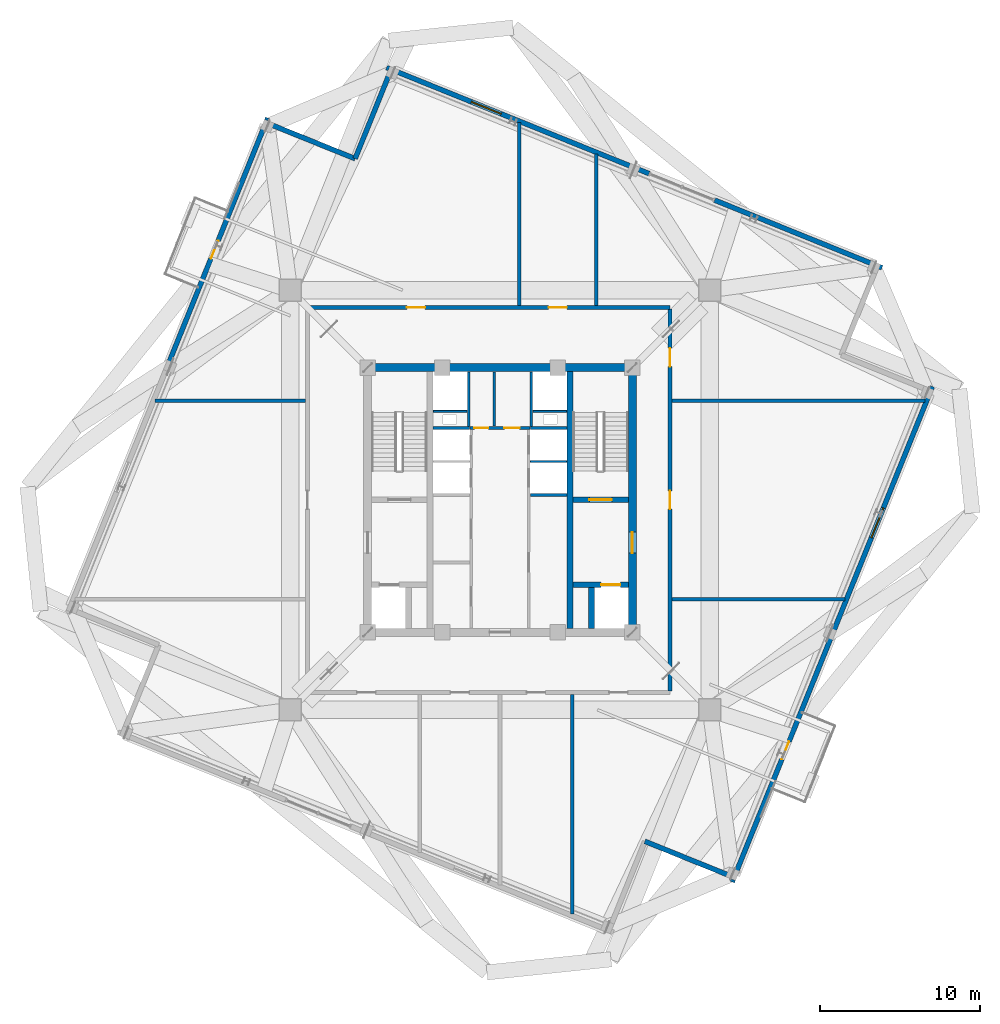
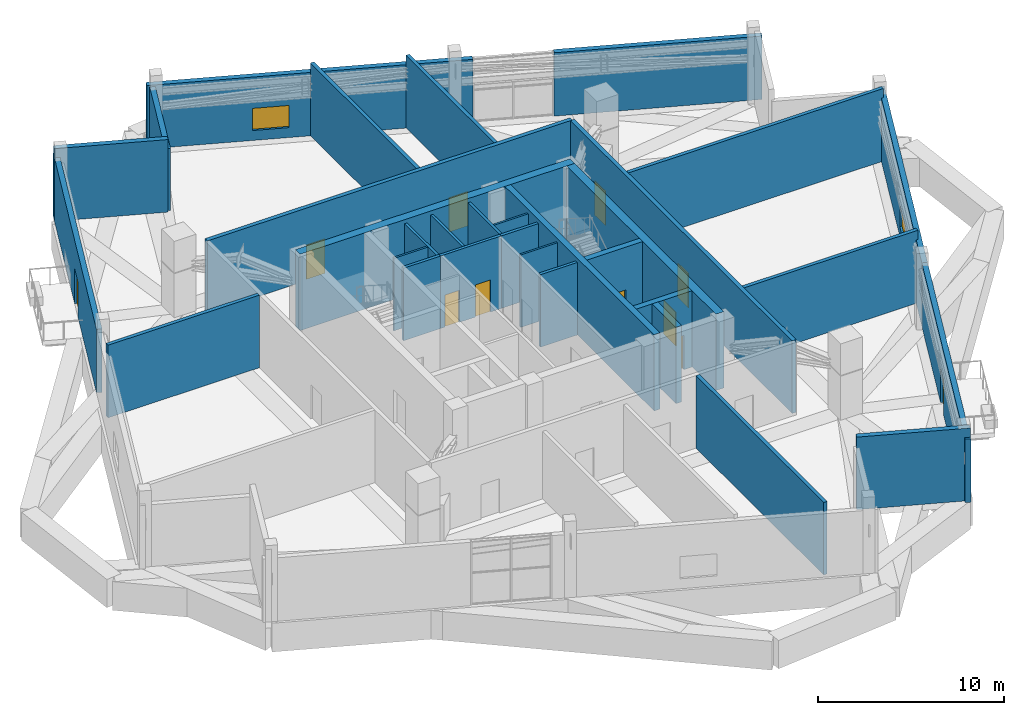
# One storey, part 16 of 20: 32 walls, 11 doors, 2 windows, 13 openings.
"""IFC4 building model written with IfcOpenShell, lengths in metres."""

from ifc_helpers import new_model, si_unit, direction, frame, frame_2d, origin, place, context, subcontext, project, spatial, rectangle, extrude, source, transform, mapped, material, layer, layer_set, type_object, element, fill, save


model = new_model("IFC4")

# Units and contexts
model_context = context("Model", 3, precision=1e-05, world=origin(), true_north=direction((0.0, 1.0)))
body_context = subcontext(model_context, "Body", "Model", "MODEL_VIEW")
ifc_project = project(units=[si_unit("LENGTHUNIT", "METRE"), si_unit("AREAUNIT", "SQUARE_METRE"), si_unit("VOLUMEUNIT", "CUBIC_METRE"), si_unit("PLANEANGLEUNIT", "RADIAN"), si_unit("MASSUNIT", "GRAM", prefix="KILO"), si_unit("THERMODYNAMICTEMPERATUREUNIT", "KELVIN")], contexts=[model_context])

# Site, building, storey
site_placement = place(None, origin())
site = spatial("IfcSite", under=ifc_project, at=site_placement, CompositionType="ELEMENT")
building_placement = place(site_placement, origin())
building = spatial("IfcBuilding", under=site, at=building_placement, Name="Kosmvard Interchange Tower", CompositionType="ELEMENT")
storey_placement = place(building_placement, frame((0.0, 0.0, 260.199951171875)))
storey = spatial("IfcBuildingStorey", under=building, at=storey_placement, Name="L63", CompositionType="ELEMENT", Elevation=260.199951171875)

# Walls
ifc_material_1 = material(Name="Fire-rated gypsum partition system")
ifc_layer_1 = layer(ifc_material_1, 0.159912109375, Name="Fire-rated gypsum partition system")
ifc_layer_set_1 = layer_set([ifc_layer_1], Name="Fire-rated gypsum partition system")
wall_type_1 = type_object("IfcWallType", Name="Core Compartment & Shuttle Lobby Partition 160", PredefinedType="PARTITIONING", material=ifc_layer_set_1)
for number, where, z_axis, x_axis, name in (
    (1, (-1.9599609375, 4.580078125, 0.0), (0.0, 0.0, 1.0), (0.0, 1.0, 0.0), "L63 North Core West Wall"),
    (2, (1.9599609375, 4.580078125, 0.0), (0.0, 0.0, 1.0), (0.0, 1.0, 0.0), "L63 North Core East Wall"),
):
    element("IfcWall", number, at=place(storey_placement, frame(where, z_axis=z_axis, x_axis=x_axis)), inside=storey, type_object=wall_type_1, Name=name, PredefinedType="PARTITIONING", context=body_context, shape_type="SweptSolid", body=[
        extrude(rectangle(XDim=3.39990234375, YDim=0.159912109375, at=frame_2d((1.699951171875, 0.0))), origin(), (0.0, 0.0, 1.0), 4.75),
    ])
ifc_material_2 = material(Name="Concrete blockwork masonry", Category="masonry")
ifc_layer_2 = layer(ifc_material_2, 0.159912109375, Name="Concrete blockwork masonry")
ifc_layer_set_2 = layer_set([ifc_layer_2], Name="Concrete blockwork masonry")
wall_type_2 = type_object("IfcWallType", Name="Core Enclosure Split Wall 160", PredefinedType="PARTITIONING", material=ifc_layer_set_2)
wall_1_placement = place(storey_placement, frame((-0.35009765625, 4.60009765625, 0.0), z_axis=(0.0, 0.0, 1.0), x_axis=(0.0, 1.0, 0.0)))
element("IfcWall", 3, at=wall_1_placement, inside=storey, type_object=wall_type_2, Name="L63 Core K2 Split Wall", PredefinedType="PARTITIONING", context=body_context, shape_type="SweptSolid", body=[
    extrude(rectangle(XDim=3.3798828125, YDim=0.159912109375, at=frame_2d((1.68994140625, 0.0))), origin(), (0.0, 0.0, 1.0), 4.75),
])

# Wall, openings, doors
ifc_layer_3 = layer(ifc_material_1, 0.179931640625, Name="Fire-rated gypsum partition system")
ifc_layer_set_3 = layer_set([ifc_layer_3], Name="Fire-rated gypsum partition system")
wall_type_3 = type_object("IfcWallType", Name="Corridor & Hotel Compartment Partition 180", PredefinedType="PARTITIONING", material=ifc_layer_set_3)
wall_2_placement = place(storey_placement, frame((-1.8798828125, 4.489990234375, 0.0), z_axis=(0.0, 0.0, 1.0), x_axis=(1.0, 0.0, 0.0)))
wall_2 = element("IfcWall", 4, at=wall_2_placement, inside=storey, type_object=wall_type_3, Name="L63 Lift Lobby North Partition", PredefinedType="PARTITIONING", context=body_context, shape_type="SweptSolid", body=[
    extrude(rectangle(XDim=3.759765625, YDim=0.179931640625, at=frame_2d((1.8798828125, 0.0))), origin(), (0.0, 0.0, 1.0), 4.75),
])
opening_1_placement = place(wall_2_placement, frame((0.280029296875, 0.0, 0.0)))
opening_1 = element("IfcOpeningElement", 5, at=opening_1_placement, cuts=wall_2, Name="Opening L63-KD1", PredefinedType="OPENING", context=body_context, shape_type="SweptSolid", body=[
    extrude(rectangle(XDim=0.8798828125, YDim=2.10009765625, at=frame_2d((0.43994140625, 1.050048828125))), frame((0.0, 0.10009765625, 0.0), z_axis=(0.0, -1.0, 0.0), x_axis=(1.0, 0.0, 0.0)), (0.0, 0.0, 1.0), 0.199951171875),
])
opening_2_placement = place(wall_2_placement, frame((2.14990234375, 0.0, 0.0)))
opening_2 = element("IfcOpeningElement", 6, at=opening_2_placement, cuts=wall_2, Name="Opening L63-KD2", PredefinedType="OPENING", context=body_context, shape_type="SweptSolid", body=[
    extrude(rectangle(XDim=0.949951171875, YDim=2.10009765625, at=frame_2d((0.47509765625, 1.050048828125))), frame((0.0, 0.10009765625, 0.0), z_axis=(0.0, -1.0, 0.0), x_axis=(1.0, 0.0, 0.0)), (0.0, 0.0, 1.0), 0.199951171875),
])
ifc_material_3 = material(Name="Painted fire-rated timber leaf", Category="wood")
door_type_1 = type_object("IfcDoorType", Name="Core Service Fire Door 950x2100 EI30", OperationType="NOTDEFINED", PredefinedType="DOOR", material=ifc_material_3)
shared_shape_1 = source(origin(), body_context, "Body", "SweptSolid", [
    extrude(rectangle(XDim=0.949951171875, YDim=2.10009765625, at=frame_2d((0.47509765625, 1.050048828125))), frame((0.0, 0.02490234375, 0.0), z_axis=(0.0, -1.0, 0.0), x_axis=(1.0, 0.0, 0.0)), (0.0, 0.0, 1.0), 0.050048828125),
])
door_1_placement = place(opening_2_placement, origin())
door_1 = element("IfcDoor", 7, at=door_1_placement, inside=storey, type_object=door_type_1, Name="L63 Core Tea Pantry Door", OperationType="SINGLE_SWING_RIGHT", OverallHeight=2.10009765625, OverallWidth=0.949951171875, PredefinedType="DOOR", context=body_context, shape_type="MappedRepresentation", body=[
    mapped(shared_shape_1, transform((0.0, 0.0, 0.0), scale=1.0)),
])
fill(opening_2, door_1)
door_type_2 = type_object("IfcDoorType", Name="Core Cupboard Fire Door 880x2100 EI30", OperationType="NOTDEFINED", PredefinedType="DOOR", material=ifc_material_3)
shared_shape_2 = source(origin(), body_context, "Body", "SweptSolid", [
    extrude(rectangle(XDim=0.8798828125, YDim=2.10009765625, at=frame_2d((0.43994140625, 1.050048828125))), frame((0.0, 0.02490234375, 0.0), z_axis=(0.0, -1.0, 0.0), x_axis=(1.0, 0.0, 0.0)), (0.0, 0.0, 1.0), 0.050048828125),
])
door_2_placement = place(opening_1_placement, origin())
door_2 = element("IfcDoor", 8, at=door_2_placement, inside=storey, type_object=door_type_2, Name="L63 Core Cleaner Cupboard Door", OperationType="SINGLE_SWING_LEFT", OverallHeight=2.10009765625, OverallWidth=0.8798828125, PredefinedType="DOOR", context=body_context, shape_type="MappedRepresentation", body=[
    mapped(shared_shape_2, transform((0.0, 0.0, 0.0), scale=1.0)),
])
fill(opening_1, door_2)

ifc_layer_4 = layer(ifc_material_2, 0.25, Name="Concrete blockwork masonry")
ifc_layer_set_4 = layer_set([ifc_layer_4], Name="Concrete blockwork masonry")
wall_type_4 = type_object("IfcWallType", Name="Exit Passage & Firefighting Lobby Wall 250", PredefinedType="PARTITIONING", material=ifc_layer_set_4)
wall_3_placement = place(storey_placement, frame((-12.0, 12.0, 0.0), z_axis=(0.0, 0.0, 1.0), x_axis=(1.0, 0.0, 0.0)))
wall_3 = element("IfcWall", 9, at=wall_3_placement, inside=storey, type_object=wall_type_4, Name="L63 Corridor Wall CN", PredefinedType="PARTITIONING", context=body_context, shape_type="SweptSolid", body=[
    extrude(rectangle(XDim=22.60009765625, YDim=0.25, at=frame_2d((11.300048828125, 0.0))), origin(), (0.0, 0.0, 1.0), 4.75),
])
opening_3_placement = place(wall_3_placement, frame((6.189453125, 0.0, 0.0)))
opening_3 = element("IfcOpeningElement", 10, at=opening_3_placement, cuts=wall_3, Name="Opening L63-D01", PredefinedType="OPENING", context=body_context, shape_type="SweptSolid", body=[
    extrude(rectangle(XDim=1.14990234375, YDim=2.25, at=frame_2d((0.574951171875, 1.125))), frame((0.0, 0.135009765625, 0.0), z_axis=(0.0, -1.0, 0.0), x_axis=(1.0, 0.0, 0.0)), (0.0, 0.0, 1.0), 0.27001953125),
])
opening_4_placement = place(wall_3_placement, frame((15.02490234375, 0.0, 0.0)))
opening_4 = element("IfcOpeningElement", 11, at=opening_4_placement, cuts=wall_3, Name="Opening L63-D02", PredefinedType="OPENING", context=body_context, shape_type="SweptSolid", body=[
    extrude(rectangle(XDim=1.14990234375, YDim=2.25, at=frame_2d((0.574951171875, 1.125))), frame((0.0, 0.135009765625, 0.0), z_axis=(0.0, -1.0, 0.0), x_axis=(1.0, 0.0, 0.0)), (0.0, 0.0, 1.0), 0.27001953125),
])
ifc_material_4 = material(Name="Painted fire-rated steel leaf", Category="steel")
door_type_3 = type_object("IfcDoorType", Name="Plant & Riser Fire Door 1150x2250 EI60", OperationType="NOTDEFINED", PredefinedType="DOOR", material=ifc_material_4)
shared_shape_3 = source(origin(), body_context, "Body", "SweptSolid", [
    extrude(rectangle(XDim=1.14990234375, YDim=2.25, at=frame_2d((0.574951171875, 1.125))), frame((0.0, 0.02490234375, 0.0), z_axis=(0.0, -1.0, 0.0), x_axis=(1.0, 0.0, 0.0)), (0.0, 0.0, 1.0), 0.050048828125),
])
door_3_placement = place(opening_3_placement, origin())
door_3 = element("IfcDoor", 12, at=door_3_placement, inside=storey, type_object=door_type_3, Name="L63 Hot Water Calorifier Plant Room Door", OperationType="SINGLE_SWING_LEFT", OverallHeight=2.25, OverallWidth=1.14990234375, PredefinedType="DOOR", context=body_context, shape_type="MappedRepresentation", body=[
    mapped(shared_shape_3, transform((0.0, 0.0, 0.0), scale=1.0)),
])
fill(opening_3, door_3)
door_4_placement = place(opening_4_placement, origin())
door_4 = element("IfcDoor", 13, at=door_4_placement, inside=storey, type_object=door_type_3, Name="L63 Hydronic Pressure-Break Plant Room Door", OperationType="SINGLE_SWING_RIGHT", OverallHeight=2.25, OverallWidth=1.14990234375, PredefinedType="DOOR", context=body_context, shape_type="MappedRepresentation", body=[
    mapped(shared_shape_3, transform((0.0, 0.0, 0.0), scale=1.0)),
])
fill(opening_4, door_4)

wall_4_placement = place(storey_placement, frame((10.60009765625, -11.89990234375, 0.0), z_axis=(0.0, 0.0, 1.0), x_axis=(0.0, 1.0, 0.0)))
wall_4 = element("IfcWall", 14, at=wall_4_placement, inside=storey, type_object=wall_type_4, Name="L63 Corridor Wall CE", PredefinedType="PARTITIONING", context=body_context, shape_type="SweptSolid", body=[
    extrude(rectangle(XDim=23.7998046875, YDim=0.25, at=frame_2d((11.89990234375, 0.0))), origin(), (0.0, 0.0, 1.0), 4.75),
])
opening_5_placement = place(wall_4_placement, frame((20.21044921875, 0.0, 0.0)))
opening_5 = element("IfcOpeningElement", 15, at=opening_5_placement, cuts=wall_4, Name="Opening L63-D03", PredefinedType="OPENING", context=body_context, shape_type="SweptSolid", body=[
    extrude(rectangle(XDim=1.14990234375, YDim=2.25, at=frame_2d((0.574951171875, 1.125))), frame((0.0, 0.135009765625, 0.0), z_axis=(0.0, -1.0, 0.0), x_axis=(1.0, 0.0, 0.0)), (0.0, 0.0, 1.0), 0.27001953125),
])
opening_6_placement = place(wall_4_placement, frame((11.324951171875, 0.0, 0.0)))
opening_6 = element("IfcOpeningElement", 16, at=opening_6_placement, cuts=wall_4, Name="Opening L63-D04", PredefinedType="OPENING", context=body_context, shape_type="SweptSolid", body=[
    extrude(rectangle(XDim=1.14990234375, YDim=2.25, at=frame_2d((0.574951171875, 1.125))), frame((0.0, 0.135009765625, 0.0), z_axis=(0.0, -1.0, 0.0), x_axis=(1.0, 0.0, 0.0)), (0.0, 0.0, 1.0), 0.27001953125),
])
door_5_placement = place(opening_5_placement, frame((1.14990234375, 0.0, 0.0), z_axis=(0.0, 0.0, 1.0), x_axis=(-1.0, 0.0, 0.0)))
door_5 = element("IfcDoor", 17, at=door_5_placement, inside=storey, type_object=door_type_3, Name="L63 High-Zone Chiller Exchange Plant Room Door", OperationType="SINGLE_SWING_LEFT", OverallHeight=2.25, OverallWidth=1.14990234375, PredefinedType="DOOR", context=body_context, shape_type="MappedRepresentation", body=[
    mapped(shared_shape_3, transform((0.0, 0.0, 0.0), scale=1.0)),
])
fill(opening_5, door_5)
door_6_placement = place(opening_6_placement, frame((1.14990234375, 0.0, 0.0), z_axis=(0.0, 0.0, 1.0), x_axis=(-1.0, 0.0, 0.0)))
door_6 = element("IfcDoor", 18, at=door_6_placement, inside=storey, type_object=door_type_3, Name="L63 Refuge Area East Door", OperationType="SINGLE_SWING_RIGHT", OverallHeight=2.25, OverallWidth=1.14990234375, PredefinedType="DOOR", context=body_context, shape_type="MappedRepresentation", body=[
    mapped(shared_shape_3, transform((0.0, 0.0, 0.0), scale=1.0)),
])
fill(opening_6, door_6)

# Walls
ifc_layer_5 = layer(ifc_material_2, 0.179931640625, Name="Concrete blockwork masonry")
ifc_layer_set_5 = layer_set([ifc_layer_5], Name="Concrete blockwork masonry")
wall_type_5 = type_object("IfcWallType", Name="Riser & Lift Bank Divider Wall 180", PredefinedType="PARTITIONING", material=ifc_layer_set_5)
for number, where, z_axis, x_axis, name in (
    (19, (1.889892578125, 0.300048828125, 0.0), (0.0, 0.0, 1.0), (1.0, 0.0, 0.0), "L63 East Bank Divider BD2"),
    (20, (-4.169921875, 4.489990234375, 0.0), (0.0, 0.0, 1.0), (1.0, 0.0, 0.0), "L63 West Bank Divider BD3"),
    (21, (1.889892578125, 4.489990234375, 0.0), (0.0, 0.0, 1.0), (1.0, 0.0, 0.0), "L63 East Bank Divider BD3"),
):
    element("IfcWall", number, at=place(storey_placement, frame(where, z_axis=z_axis, x_axis=x_axis)), inside=storey, type_object=wall_type_5, Name=name, PredefinedType="PARTITIONING", context=body_context, shape_type="SweptSolid", body=[
        extrude(rectangle(XDim=2.280029296875, YDim=0.179931640625, at=frame_2d((1.14013671875, 0.0))), origin(), (0.0, 0.0, 1.0), 4.75),
    ])
ifc_layer_6 = layer(ifc_material_2, 0.219970703125, Name="Concrete blockwork masonry")
ifc_layer_set_6 = layer_set([ifc_layer_6], Name="Concrete blockwork masonry")
wall_type_6 = type_object("IfcWallType", Name="Riser & Plant Enclosure Wall 220", PredefinedType="PARTITIONING", material=ifc_layer_set_6)
wall_5_placement = place(storey_placement, frame((1.199951171875, 12.1298828125, 0.0), z_axis=(0.0, 0.0, 1.0), x_axis=(0.0, 1.0, 0.0)))
element("IfcWall", 22, at=wall_5_placement, inside=storey, type_object=wall_type_6, Name="L63 Room Partition 01.1", PredefinedType="PARTITIONING", context=body_context, shape_type="SweptSolid", body=[
    extrude(rectangle(XDim=11.38818359375, YDim=0.219970703125, at=frame_2d((5.694091796875, 0.0))), origin(), (0.0, 0.0, 1.0), 4.75),
])
wall_6_placement = place(storey_placement, frame((6.0, 12.1298828125, 0.0), z_axis=(0.0, 0.0, 1.0), x_axis=(0.0, 1.0, 0.0)))
element("IfcWall", 23, at=wall_6_placement, inside=storey, type_object=wall_type_6, Name="L63 Room Partition 02.1", PredefinedType="PARTITIONING", context=body_context, shape_type="SweptSolid", body=[
    extrude(rectangle(XDim=9.44873046875, YDim=0.219970703125, at=frame_2d((4.724365234375, 0.0))), origin(), (0.0, 0.0, 1.0), 4.75),
])
wall_7_placement = place(storey_placement, frame((10.72998046875, 6.199951171875, 0.0), z_axis=(0.0, 0.0, 1.0), x_axis=(1.0, 0.0, 0.0)))
element("IfcWall", 24, at=wall_7_placement, inside=storey, type_object=wall_type_6, Name="L63 Room Partition 03.1", PredefinedType="PARTITIONING", context=body_context, shape_type="SweptSolid", body=[
    extrude(rectangle(XDim=15.77783203125, YDim=0.219970703125, at=frame_2d((7.888916015625, 0.0))), origin(), (0.0, 0.0, 1.0), 4.75),
])
wall_8_placement = place(storey_placement, frame((10.72998046875, -6.199951171875, 0.0), z_axis=(0.0, 0.0, 1.0), x_axis=(1.0, 0.0, 0.0)))
element("IfcWall", 25, at=wall_8_placement, inside=storey, type_object=wall_type_6, Name="L63 Room Partition 04.1", PredefinedType="PARTITIONING", context=body_context, shape_type="SweptSolid", body=[
    extrude(rectangle(XDim=10.767822265625, YDim=0.219970703125, at=frame_2d((5.3837890625, 0.0))), origin(), (0.0, 0.0, 1.0), 4.75),
])
wall_9_placement = place(storey_placement, frame((4.5, -12.1298828125, 0.0), z_axis=(0.0, 0.0, 1.0), x_axis=(0.0, -1.0, 0.0)))
element("IfcWall", 26, at=wall_9_placement, inside=storey, type_object=wall_type_6, Name="L63 Room Partition 05.1", PredefinedType="PARTITIONING", context=body_context, shape_type="SweptSolid", body=[
    extrude(rectangle(XDim=13.69091796875, YDim=0.219970703125, at=frame_2d((6.845458984375, 0.0))), origin(), (0.0, 0.0, 1.0), 4.75),
])
wall_10_placement = place(storey_placement, frame((-12.1298828125, 6.199951171875, 0.0), z_axis=(0.0, 0.0, 1.0), x_axis=(-1.0, 0.0, 0.0)))
element("IfcWall", 27, at=wall_10_placement, inside=storey, type_object=wall_type_6, Name="L63 Room Partition 09.1", PredefinedType="PARTITIONING", context=body_context, shape_type="SweptSolid", body=[
    extrude(rectangle(XDim=9.367919921875, YDim=0.219970703125, at=frame_2d((4.68408203125, 0.0))), origin(), (0.0, 0.0, 1.0), 4.75),
])
ifc_material_5 = material(Name="Fire-rated gypsum shaftwall system")
ifc_layer_7 = layer(ifc_material_5, 0.1201171875, Name="Fire-rated gypsum shaftwall system")
ifc_layer_set_7 = layer_set([ifc_layer_7], Name="Fire-rated gypsum shaftwall system")
wall_type_7 = type_object("IfcWallType", Name="Shaft & Riser Fire Partition 120 EI60", PredefinedType="PARTITIONING", material=ifc_layer_set_7)
wall_11_placement = place(storey_placement, frame((1.89990234375, 2.39990234375, 0.0), z_axis=(0.0, 0.0, 1.0), x_axis=(1.0, 0.0, 0.0)))
element("IfcWall", 28, at=wall_11_placement, inside=storey, type_object=wall_type_7, Name="L63 Shaft Divider PL-H3", PredefinedType="PARTITIONING", context=body_context, shape_type="SweptSolid", body=[
    extrude(rectangle(XDim=2.260009765625, YDim=0.1201171875, at=frame_2d((1.1298828125, 0.0))), origin(), (0.0, 0.0, 1.0), 4.75),
])
for number, where, z_axis, x_axis, name in (
    (29, (-4.159912109375, 5.52001953125, 0.0), (0.0, 0.0, 1.0), (1.0, 0.0, 0.0), "L63 Riser Shaft Divider W"),
    (30, (2.06005859375, 5.52001953125, 0.0), (0.0, 0.0, 1.0), (1.0, 0.0, 0.0), "L63 Riser Shaft Divider E"),
):
    element("IfcWall", number, at=place(storey_placement, frame(where, z_axis=z_axis, x_axis=x_axis)), inside=storey, type_object=wall_type_7, Name=name, PredefinedType="PARTITIONING", context=body_context, shape_type="SweptSolid", body=[
        extrude(rectangle(XDim=2.099853515625, YDim=0.1201171875, at=frame_2d((1.0498046875, 0.0))), origin(), (0.0, 0.0, 1.0), 4.75),
    ])
ifc_material_6 = material(Name="Concrete C60/75", Category="concrete")
ifc_layer_8 = layer(ifc_material_6, 0.360107421875, Name="Concrete C60/75")
ifc_layer_set_8 = layer_set([ifc_layer_8], Name="Concrete C60/75")
wall_type_8 = type_object("IfcWallType", Name="Stair & Lift Shaft Shear Wall 360 C60/75", PredefinedType="SHEAR", material=ifc_layer_set_8)
wall_12_placement = place(storey_placement, frame((4.360107421875, -8.0, 0.0), z_axis=(0.0, 0.0, 1.0), x_axis=(0.0, 1.0, 0.0)))
element("IfcWall", 31, at=wall_12_placement, inside=storey, type_object=wall_type_8, Name="L63 Shaft Shear Wall SW-E", PredefinedType="SHEAR", context=body_context, shape_type="SweptSolid", body=[
    extrude(rectangle(XDim=16.0, YDim=0.360107421875, at=frame_2d((8.0, 0.0))), origin(), (0.0, 0.0, 1.0), 5.0),
])

# Wall, opening, door
wall_13_placement = place(storey_placement, frame((4.5400390625, 0.02001953125, 0.0), z_axis=(0.0, 0.0, 1.0), x_axis=(1.0, 0.0, 0.0)))
wall_13 = element("IfcWall", 32, at=wall_13_placement, inside=storey, type_object=wall_type_8, Name="L63 Shaft Shear Wall SW-ST2", PredefinedType="SHEAR", context=body_context, shape_type="SweptSolid", body=[
    extrude(rectangle(XDim=3.4599609375, YDim=0.360107421875, at=frame_2d((1.72998046875, 0.0))), origin(), (0.0, 0.0, 1.0), 5.0),
])
opening_7_placement = place(wall_13_placement, frame((1.030029296875, 0.0, 0.0)))
opening_7 = element("IfcOpeningElement", 33, at=opening_7_placement, cuts=wall_13, Name="Opening L63-SD2", PredefinedType="OPENING", context=body_context, shape_type="SweptSolid", body=[
    extrude(rectangle(XDim=1.39990234375, YDim=2.199951171875, at=frame_2d((0.699951171875, 1.10009765625))), frame((0.0, 0.18994140625, 0.0), z_axis=(0.0, -1.0, 0.0), x_axis=(1.0, 0.0, 0.0)), (0.0, 0.0, 1.0), 0.380126953125),
])
door_type_4 = type_object("IfcDoorType", Name="Protected Stair Door 1400x2200 FD60S", OperationType="NOTDEFINED", PredefinedType="DOOR", material=ifc_material_4)
shared_shape_4 = source(origin(), body_context, "Body", "SweptSolid", [
    extrude(rectangle(XDim=1.39990234375, YDim=2.199951171875, at=frame_2d((0.699951171875, 1.10009765625))), frame((0.0, 0.02490234375, 0.0), z_axis=(0.0, -1.0, 0.0), x_axis=(1.0, 0.0, 0.0)), (0.0, 0.0, 1.0), 0.050048828125),
])
door_7_placement = place(opening_7_placement, origin())
door_7 = element("IfcDoor", 34, at=door_7_placement, inside=storey, type_object=door_type_4, Name="L63 Stair ST-2 Enclosure Door", OperationType="SINGLE_SWING_RIGHT", OverallHeight=2.199951171875, OverallWidth=1.39990234375, PredefinedType="DOOR", context=body_context, shape_type="MappedRepresentation", body=[
    mapped(shared_shape_4, transform((0.0, 0.0, 0.0), scale=1.0)),
])
fill(opening_7, door_7)

wall_14_placement = place(storey_placement, frame((4.5400390625, -5.280029296875, 0.0), z_axis=(0.0, 0.0, 1.0), x_axis=(1.0, 0.0, 0.0)))
wall_14 = element("IfcWall", 35, at=wall_14_placement, inside=storey, type_object=wall_type_8, Name="L63 Shaft Shear Wall SW-FF2", PredefinedType="SHEAR", context=body_context, shape_type="SweptSolid", body=[
    extrude(rectangle(XDim=3.4599609375, YDim=0.360107421875, at=frame_2d((1.72998046875, 0.0))), origin(), (0.0, 0.0, 1.0), 5.0),
])
opening_8_placement = place(wall_14_placement, frame((1.760009765625, 0.0, 0.0)))
opening_8 = element("IfcOpeningElement", 36, at=opening_8_placement, cuts=wall_14, Name="Opening LD-FF-2-L63", PredefinedType="OPENING", context=body_context, shape_type="SweptSolid", body=[
    extrude(rectangle(XDim=1.199951171875, YDim=2.25, at=frame_2d((0.60009765625, 1.125))), frame((0.0, 0.18994140625, 0.0), z_axis=(0.0, -1.0, 0.0), x_axis=(1.0, 0.0, 0.0)), (0.0, 0.0, 1.0), 0.380126953125),
])
ifc_material_7 = material(Name="Brushed stainless steel sliding leaf", Category="steel")
door_type_5 = type_object("IfcDoorType", Name="Firefighting Lift Sliding Landing Door 1200x2250 EI120", OperationType="DOUBLE_DOOR_SLIDING", PredefinedType="DOOR", material=ifc_material_7)
shared_shape_5 = source(origin(), body_context, "Body", "SweptSolid", [
    extrude(rectangle(XDim=1.199951171875, YDim=2.25, at=frame_2d((0.60009765625, 1.125))), frame((0.0, 0.02490234375, 0.0), z_axis=(0.0, -1.0, 0.0), x_axis=(1.0, 0.0, 0.0)), (0.0, 0.0, 1.0), 0.050048828125),
])
door_8_placement = place(opening_8_placement, origin())
door_8 = element("IfcDoor", 37, at=door_8_placement, inside=storey, type_object=door_type_5, Name="Lift FF-2 Landing Door L63", OperationType="DOUBLE_DOOR_SLIDING", OverallHeight=2.25, OverallWidth=1.199951171875, PredefinedType="DOOR", context=body_context, shape_type="MappedRepresentation", body=[
    mapped(shared_shape_5, transform((0.0, 0.0, 0.0), scale=1.0)),
])
fill(opening_8, door_8)

# Walls
wall_15_placement = place(storey_placement, frame((5.7099609375, -8.0, 0.0), z_axis=(0.0, 0.0, 1.0), x_axis=(0.0, 1.0, 0.0)))
element("IfcWall", 38, at=wall_15_placement, inside=storey, type_object=wall_type_8, Name="L63 Shaft Shear Wall SW-SM2", PredefinedType="SHEAR", context=body_context, shape_type="SweptSolid", body=[
    extrude(rectangle(XDim=2.5400390625, YDim=0.360107421875, at=frame_2d((1.27001953125, 0.0))), origin(), (0.0, 0.0, 1.0), 5.0),
])
ifc_layer_9 = layer(ifc_material_6, 0.5, Name="Concrete C60/75")
ifc_layer_set_9 = layer_set([ifc_layer_9], Name="Concrete C60/75")
wall_type_9 = type_object("IfcWallType", Name="Upper Core Shear Wall 500 C60/75", PredefinedType="SHEAR", material=ifc_layer_set_9)
wall_16_placement = place(storey_placement, frame((-8.5, 8.25, 0.0), z_axis=(0.0, 0.0, 1.0), x_axis=(1.0, 0.0, 0.0)))
element("IfcWall", 39, at=wall_16_placement, inside=storey, type_object=wall_type_9, Name="L63 Core Shear Wall CW-N", PredefinedType="SHEAR", context=body_context, shape_type="SweptSolid", body=[
    extrude(rectangle(XDim=17.0, YDim=0.5, at=frame_2d((8.5, 0.0))), origin(), (0.0, 0.0, 1.0), 5.0),
])

# Wall, opening, door
wall_17_placement = place(storey_placement, frame((8.25, -8.0, 0.0), z_axis=(0.0, 0.0, 1.0), x_axis=(0.0, 1.0, 0.0)))
wall_17 = element("IfcWall", 40, at=wall_17_placement, inside=storey, type_object=wall_type_9, Name="L63 Core Shear Wall CW-E", PredefinedType="SHEAR", context=body_context, shape_type="SweptSolid", body=[
    extrude(rectangle(XDim=16.0, YDim=0.5, at=frame_2d((8.0, 0.0))), origin(), (0.0, 0.0, 1.0), 5.0),
])
opening_9_placement = place(wall_17_placement, frame((4.68994140625, 0.0, 0.0)))
opening_9 = element("IfcOpeningElement", 41, at=opening_9_placement, cuts=wall_17, Name="Opening L63-FD2", PredefinedType="OPENING", context=body_context, shape_type="SweptSolid", body=[
    extrude(rectangle(XDim=1.300048828125, YDim=2.199951171875, at=frame_2d((0.64990234375, 1.10009765625))), frame((0.0, 0.260009765625, 0.0), z_axis=(0.0, -1.0, 0.0), x_axis=(1.0, 0.0, 0.0)), (0.0, 0.0, 1.0), 0.52001953125),
])
door_type_6 = type_object("IfcDoorType", Name="Firefighting Lobby Door 1300x2200 EI60", OperationType="NOTDEFINED", PredefinedType="DOOR", material=ifc_material_4)
shared_shape_6 = source(origin(), body_context, "Body", "SweptSolid", [
    extrude(rectangle(XDim=1.300048828125, YDim=2.199951171875, at=frame_2d((0.64990234375, 1.10009765625))), frame((0.0, 0.02490234375, 0.0), z_axis=(0.0, -1.0, 0.0), x_axis=(1.0, 0.0, 0.0)), (0.0, 0.0, 1.0), 0.050048828125),
])
door_9_placement = place(opening_9_placement, origin())
door_9 = element("IfcDoor", 42, at=door_9_placement, inside=storey, type_object=door_type_6, Name="L63 Firefighting Lobby East Door", OperationType="SINGLE_SWING_RIGHT", OverallHeight=2.199951171875, OverallWidth=1.300048828125, PredefinedType="DOOR", context=body_context, shape_type="MappedRepresentation", body=[
    mapped(shared_shape_6, transform((0.0, 0.0, 0.0), scale=1.0)),
])
fill(opening_9, door_9)

# Walls
ifc_material_8 = material(Name="Precast concrete C45/55", Category="concrete")
ifc_layer_10 = layer(ifc_material_8, 0.31005859375, Name="Precast concrete C45/55")
ifc_layer_set_10 = layer_set([ifc_layer_10], Name="Precast concrete C45/55")
wall_type_10 = type_object("IfcWallType", Name="Upper Tower Precast Pier Wall 310 C45/55", PredefinedType="STANDARD", material=ifc_layer_set_10)
wall_18_placement = place(storey_placement, frame((-6.7841796875, 26.8408203125, 0.0), z_axis=(0.0, 0.0, 1.0), x_axis=(-0.374636620962, -0.927171722085, 0.0)))
element("IfcWall", 43, at=wall_18_placement, inside=storey, type_object=wall_type_10, Name="L63 Corner Precast Pier N-NE1", PredefinedType="STANDARD", context=body_context, shape_type="SweptSolid", body=[
    extrude(rectangle(XDim=6.0, YDim=0.31005859375, at=frame_2d((3.0, 0.0))), origin(), (0.0, 0.0, 1.0), 4.050048828125),
])
for number, where, z_axis, x_axis, name in (
    (44, (-9.031982421875, 21.27783203125, 0.0), (0.0, 0.0, 1.0), (-0.927185411764, 0.374602739196, 0.0), "L63 Corner Precast Pier N-NE2"),
    (45, (9.031982421875, -21.27783203125, 0.0), (0.0, 0.0, 1.0), (0.927185411764, -0.374602739196, 0.0), "L63 Corner Precast Pier N-SW2"),
):
    element("IfcWall", number, at=place(storey_placement, frame(where, z_axis=z_axis, x_axis=x_axis)), inside=storey, type_object=wall_type_10, Name=name, PredefinedType="STANDARD", context=body_context, shape_type="SweptSolid", body=[
        extrude(rectangle(XDim=6.155029296875, YDim=0.31005859375, at=frame_2d((3.07763671875, 0.0))), origin(), (0.0, 0.0, 1.0), 4.75),
    ])

# Wall, opening, door
wall_19_placement = place(storey_placement, frame((14.478759765625, -23.812744140625, 0.0), z_axis=(0.0, 0.0, 1.0), x_axis=(0.374618403537, 0.927179082881, 0.0)))
wall_19 = element("IfcWall", 46, at=wall_19_placement, inside=storey, type_object=wall_type_10, Name="L63 Facade Pier Wall SA", PredefinedType="STANDARD", context=body_context, shape_type="SweptSolid", body=[
    extrude(rectangle(XDim=16.655029296875, YDim=0.31005859375, at=frame_2d((8.32763671875, 0.0))), origin(), (0.0, 0.0, 1.0), 4.150146484375),
])
opening_10_placement = place(wall_19_placement, frame((8.2548828125, 0.0, 0.0)))
opening_10 = element("IfcOpeningElement", 47, at=opening_10_placement, cuts=wall_19, Name="Opening L63-TDS", PredefinedType="OPENING", context=body_context, shape_type="SweptSolid", body=[
    extrude(rectangle(XDim=1.199951171875, YDim=2.300048828125, at=frame_2d((0.60009765625, 1.14990234375))), frame((0.0, 0.1650390625, 0.0), z_axis=(0.0, -1.0, 0.0), x_axis=(1.0, 0.0, 0.0)), (0.0, 0.0, 1.0), 0.330078125),
])
ifc_material_9 = material(Name="Anodised aluminium and safety glass", Category="aluminium")
door_type_7 = type_object("IfcDoorType", Name="Cascade Terrace Glazed Door 1200x2300", OperationType="NOTDEFINED", PredefinedType="DOOR", material=ifc_material_9)
shared_shape_7 = source(origin(), body_context, "Body", "SweptSolid", [
    extrude(rectangle(XDim=1.199951171875, YDim=2.300048828125, at=frame_2d((0.60009765625, 1.14990234375))), frame((0.0, 0.02490234375, 0.0), z_axis=(0.0, -1.0, 0.0), x_axis=(1.0, 0.0, 0.0)), (0.0, 0.0, 1.0), 0.050048828125),
])
door_10_placement = place(opening_10_placement, origin())
door_10 = element("IfcDoor", 48, at=door_10_placement, inside=storey, type_object=door_type_7, Name="L63 Terrace Access Door SKG-L63-S", OperationType="SINGLE_SWING_LEFT", OverallHeight=2.300048828125, OverallWidth=1.199951171875, PredefinedType="DOOR", context=body_context, shape_type="MappedRepresentation", body=[
    mapped(shared_shape_7, transform((0.0, 0.0, 0.0), scale=1.0)),
])
fill(opening_10, door_10)

# Wall, opening, window
wall_20_placement = place(storey_placement, frame((20.718017578125, -8.37060546875, 0.0), z_axis=(0.0, 0.0, 1.0), x_axis=(0.374600710538, 0.927186231382, 0.0)))
wall_20 = element("IfcWall", 49, at=wall_20_placement, inside=storey, type_object=wall_type_10, Name="L63 Facade Pier Wall SB", PredefinedType="STANDARD", context=body_context, shape_type="SweptSolid", body=[
    extrude(rectangle(XDim=16.655029296875, YDim=0.31005859375, at=frame_2d((8.32763671875, 0.0))), origin(), (0.0, 0.0, 1.0), 4.150146484375),
])
opening_11_placement = place(wall_20_placement, frame((6.49462890625, 0.0, 0.64990234375)))
opening_11 = element("IfcOpeningElement", 50, at=opening_11_placement, cuts=wall_20, Name="Opening L63-WSB", PredefinedType="OPENING", context=body_context, shape_type="SweptSolid", body=[
    extrude(rectangle(XDim=2.0, YDim=1.449951171875, at=frame_2d((1.0, 0.72509765625))), frame((0.0, 0.1650390625, 0.0), z_axis=(0.0, -1.0, 0.0), x_axis=(1.0, 0.0, 0.0)), (0.0, 0.0, 1.0), 0.330078125),
])
ifc_material_10 = material(Name="Low-E solar-control double glazing", Category="glass")
window_type = type_object("IfcWindowType", Name="Transfer Zone Punched Window 2000x1450", PartitioningType="SINGLE_PANEL", PredefinedType="WINDOW", material=ifc_material_10)
shared_shape_8 = source(origin(), body_context, "Body", "SweptSolid", [
    extrude(rectangle(XDim=2.0, YDim=1.449951171875, at=frame_2d((1.0, 0.72509765625))), frame((0.0, 0.030029296875, 0.0), z_axis=(0.0, -1.0, 0.0), x_axis=(1.0, 0.0, 0.0)), (0.0, 0.0, 1.0), 0.06005859375),
])
window_1_placement = place(opening_11_placement, origin())
window_1 = element("IfcWindow", 51, at=window_1_placement, inside=storey, type_object=window_type, Name="L63 Facade Punched Window SB", OverallHeight=1.449951171875, OverallWidth=2.0, PartitioningType="SINGLE_PANEL", PredefinedType="WINDOW", context=body_context, shape_type="MappedRepresentation", body=[
    mapped(shared_shape_8, transform((0.0, 0.0, 0.0), scale=1.0)),
])
fill(opening_11, window_1)

# Wall
wall_21_placement = place(storey_placement, frame((23.812744140625, 14.478759765625, 0.0), z_axis=(0.0, 0.0, 1.0), x_axis=(-0.927178527544, 0.374619777991, 0.0)))
element("IfcWall", 52, at=wall_21_placement, inside=storey, type_object=wall_type_10, Name="L63 Facade Pier Wall EA", PredefinedType="STANDARD", context=body_context, shape_type="SweptSolid", body=[
    extrude(rectangle(XDim=11.2548828125, YDim=0.31005859375, at=frame_2d((5.62744140625, 0.0))), origin(), (0.0, 0.0, 1.0), 4.150146484375),
])

# Wall, opening, window
wall_22_placement = place(storey_placement, frame((9.2978515625, 20.34326171875, 0.0), z_axis=(0.0, 0.0, 1.0), x_axis=(-0.927183654967, 0.374607087443, 0.0)))
wall_22 = element("IfcWall", 53, at=wall_22_placement, inside=storey, type_object=wall_type_10, Name="L63 Facade Pier Wall EB", PredefinedType="STANDARD", context=body_context, shape_type="SweptSolid", body=[
    extrude(rectangle(XDim=17.6552734375, YDim=0.31005859375, at=frame_2d((8.82763671875, 0.0))), origin(), (0.0, 0.0, 1.0), 4.150146484375),
])
opening_12_placement = place(wall_22_placement, frame((9.946044921875, 0.0, 0.64990234375)))
opening_12 = element("IfcOpeningElement", 54, at=opening_12_placement, cuts=wall_22, Name="Opening L63-WEB", PredefinedType="OPENING", context=body_context, shape_type="SweptSolid", body=[
    extrude(rectangle(XDim=2.0, YDim=1.449951171875, at=frame_2d((1.0, 0.72509765625))), frame((0.0, 0.1650390625, 0.0), z_axis=(0.0, -1.0, 0.0), x_axis=(1.0, 0.0, 0.0)), (0.0, 0.0, 1.0), 0.330078125),
])
window_2_placement = place(opening_12_placement, origin())
window_2 = element("IfcWindow", 55, at=window_2_placement, inside=storey, type_object=window_type, Name="L63 Facade Punched Window EB", OverallHeight=1.449951171875, OverallWidth=2.0, PartitioningType="SINGLE_PANEL", PredefinedType="WINDOW", context=body_context, shape_type="MappedRepresentation", body=[
    mapped(shared_shape_8, transform((0.0, 0.0, 0.0), scale=1.0)),
])
fill(opening_12, window_2)

# Wall, opening, door
wall_23_placement = place(storey_placement, frame((-14.478759765625, 23.812744140625, 0.0), z_axis=(0.0, 0.0, 1.0), x_axis=(-0.374618403537, -0.927179082881, 0.0)))
wall_23 = element("IfcWall", 56, at=wall_23_placement, inside=storey, type_object=wall_type_10, Name="L63 Facade Pier Wall NA", PredefinedType="STANDARD", context=body_context, shape_type="SweptSolid", body=[
    extrude(rectangle(XDim=16.655029296875, YDim=0.31005859375, at=frame_2d((8.32763671875, 0.0))), origin(), (0.0, 0.0, 1.0), 4.150146484375),
])
opening_13_placement = place(wall_23_placement, frame((8.2548828125, 0.0, 0.0)))
opening_13 = element("IfcOpeningElement", 57, at=opening_13_placement, cuts=wall_23, Name="Opening L63-TDN", PredefinedType="OPENING", context=body_context, shape_type="SweptSolid", body=[
    extrude(rectangle(XDim=1.199951171875, YDim=2.300048828125, at=frame_2d((0.60009765625, 1.14990234375))), frame((0.0, 0.1650390625, 0.0), z_axis=(0.0, -1.0, 0.0), x_axis=(1.0, 0.0, 0.0)), (0.0, 0.0, 1.0), 0.330078125),
])
door_11_placement = place(opening_13_placement, origin())
door_11 = element("IfcDoor", 58, at=door_11_placement, inside=storey, type_object=door_type_7, Name="L63 Terrace Access Door SKG-L63-N", OperationType="SINGLE_SWING_LEFT", OverallHeight=2.300048828125, OverallWidth=1.199951171875, PredefinedType="DOOR", context=body_context, shape_type="MappedRepresentation", body=[
    mapped(shared_shape_7, transform((0.0, 0.0, 0.0), scale=1.0)),
])
fill(opening_13, door_11)

save(model, "model.ifc")
